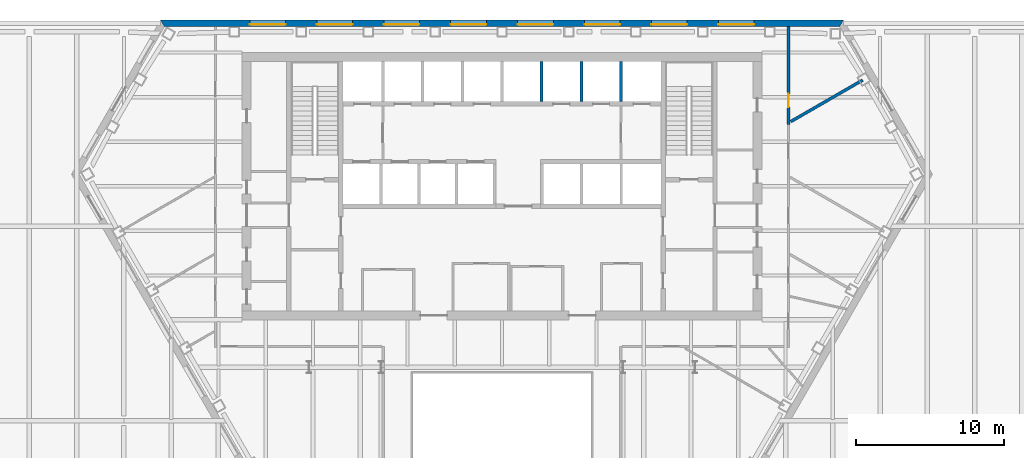
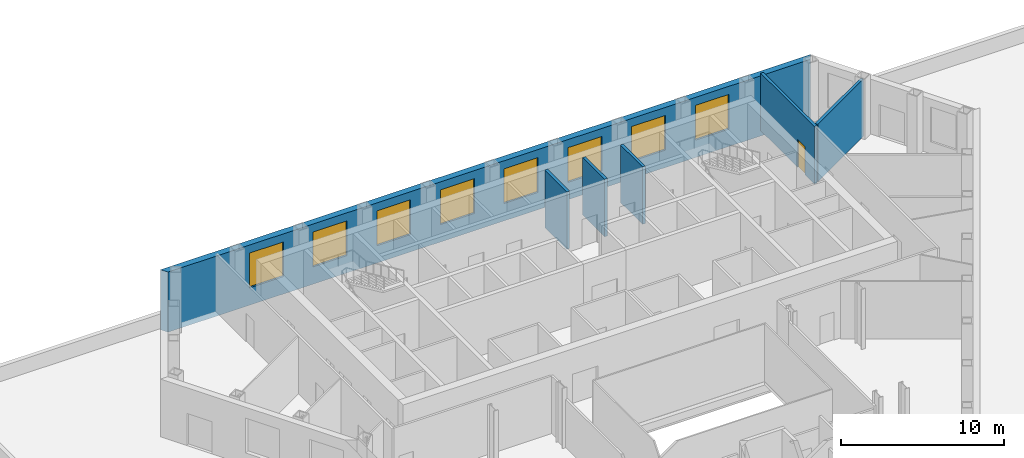
# One storey, part 10 of 14: 8 windows, 6 walls, 1 door, 9 openings.
"""IFC4 building model written with IfcOpenShell, lengths in metres."""

from ifc_helpers import new_model, si_unit, direction, frame, frame_2d, origin, place, context, subcontext, project, spatial, polyline, rectangle, outline, extrude, material, layer, layer_set, type_object, element, fill, save


model = new_model("IFC4")

# Units and contexts
model_context = context("Model", 3, precision=1e-05, world=origin(), true_north=direction((0.0, 1.0)))
body_context = subcontext(model_context, "Body", "Model", "MODEL_VIEW")
ifc_project = project(units=[si_unit("LENGTHUNIT", "METRE"), si_unit("AREAUNIT", "SQUARE_METRE"), si_unit("VOLUMEUNIT", "CUBIC_METRE"), si_unit("PLANEANGLEUNIT", "RADIAN"), si_unit("MASSUNIT", "GRAM", prefix="KILO")], contexts=[model_context])

# Site, building, storey
site_placement = place(None, origin())
site = spatial("IfcSite", under=ifc_project, at=site_placement, CompositionType="ELEMENT")
building_placement = place(site_placement, origin())
building = spatial("IfcBuilding", under=site, at=building_placement, Name="Njiva Tower", CompositionType="ELEMENT")
storey_placement = place(building_placement, frame((0.0, 0.0, 28.8)))
storey = spatial("IfcBuildingStorey", under=building, at=storey_placement, Name="L05", CompositionType="ELEMENT", Elevation=28.8)

# Wall, opening, door
ifc_material_1 = material(Name="Blockwork", Category="masonry")
ifc_layer_1 = layer(ifc_material_1, 0.2)
ifc_layer_set_1 = layer_set([ifc_layer_1], Name="Blockwork")
wall_type_1 = type_object("IfcWallType", Name="WT22 Plant room wall 200", PredefinedType="PARTITIONING", material=ifc_layer_set_1)
wall_1_placement = place(storey_placement, frame((19.3, 19.749, 0.0), z_axis=(0.0, 0.0, 1.0), x_axis=(0.000151952589, -0.999999988455, 0.0)))
wall_1 = element("IfcWall", 1, at=wall_1_placement, inside=storey, type_object=wall_type_1, Name="Partition S01-P015", PredefinedType="PARTITIONING", context=body_context, shape_type="SweptSolid", body=[
    extrude(rectangle(XDim=6.581, YDim=0.2, at=frame_2d((3.2905, 0.0))), origin(), (0.0, 0.0, 1.0), 4.3),
])
opening_1_placement = place(wall_1_placement, frame((4.526, 0.0, 0.0)))
opening_1 = element("IfcOpeningElement", 2, at=opening_1_placement, cuts=wall_1, Name="Opening S01-D014", PredefinedType="OPENING", context=body_context, shape_type="SweptSolid", body=[
    extrude(rectangle(XDim=0.9, YDim=2.1, at=frame_2d((0.45, 1.05))), frame((0.0, 0.11, 0.0), z_axis=(0.0, -1.0, 0.0), x_axis=(1.0, 0.0, 0.0)), (0.0, 0.0, 1.0), 0.22),
])
ifc_material_2 = material(Name="Steel fire door set", Category="steel")
door_type = type_object("IfcDoorType", Name="D36 Fire door 900x2100", OperationType="SINGLE_SWING_LEFT", PredefinedType="DOOR", material=ifc_material_2)
door_placement = place(opening_1_placement, origin())
door = element("IfcDoor", 3, at=door_placement, inside=storey, type_object=door_type, Name="Door S01-D014", OperationType="SINGLE_SWING_LEFT", OverallHeight=2.1, OverallWidth=0.9, PredefinedType="DOOR", context=body_context, shape_type="SweptSolid", body=[
    extrude(rectangle(XDim=0.9, YDim=2.1, at=frame_2d((0.45, 1.05))), frame((0.0, 0.025, 0.0), z_axis=(0.0, -1.0, 0.0), x_axis=(1.0, 0.0, 0.0)), (0.0, 0.0, 1.0), 0.05),
])
fill(opening_1, door)

# Walls
wall_2_placement = place(storey_placement, frame((19.451, 13.355, 0.0), z_axis=(0.0, 0.0, 1.0), x_axis=(0.866135007536, 0.499810112663, 0.0)))
element("IfcWall", 4, at=wall_2_placement, inside=storey, type_object=wall_type_1, Name="Partition S01-P019", PredefinedType="PARTITIONING", context=body_context, shape_type="SweptSolid", body=[
    extrude(rectangle(XDim=5.5961, YDim=0.2, at=frame_2d((2.798, 0.0))), origin(), (0.0, 0.0, 1.0), 4.3),
])
ifc_material_3 = material(Name="Concrete C40/50", Category="concrete")
ifc_layer_2 = layer(ifc_material_3, 0.2)
ifc_layer_set_2 = layer_set([ifc_layer_2], Name="Concrete C40/50")
wall_type_2 = type_object("IfcWallType", Name="WT6 Lift shaft wall 200", PredefinedType="SHEAR", material=ifc_layer_set_2)
for number, where, z_axis, x_axis, name in (
    (5, (2.675, 14.7, 0.0), (0.0, 0.0, 1.0), (0.0, 1.0, 0.0), "Shaft wall CN5"),
    (6, (5.35, 14.7, 0.0), (0.0, 0.0, 1.0), (0.0, 1.0, 0.0), "Shaft wall CN6"),
    (7, (8.025, 14.7, 0.0), (0.0, 0.0, 1.0), (0.0, 1.0, 0.0), "Shaft wall CN7"),
):
    element("IfcWall", number, at=place(storey_placement, frame(where, z_axis=z_axis, x_axis=x_axis)), inside=storey, type_object=wall_type_2, Name=name, PredefinedType="SHEAR", context=body_context, shape_type="SweptSolid", body=[
        extrude(rectangle(XDim=2.7, YDim=0.2, at=frame_2d((1.35, 0.0))), origin(), (0.0, 0.0, 1.0), 4.3),
    ])

# Wall, openings, windows
ifc_material_4 = material(Name="Brick masonry", Category="masonry")
ifc_layer_3 = layer(ifc_material_4, 0.45)
ifc_layer_set_3 = layer_set([ifc_layer_3], Name="Brick masonry")
wall_type_3 = type_object("IfcWallType", Name="WT90 Brick pier and spandrel wall 450", PredefinedType="SOLIDWALL", material=ifc_layer_set_3)
wall_3_placement = place(storey_placement, frame((22.8701, 19.975, -0.4), z_axis=(0.0, 0.0, 1.0), x_axis=(-1.0, 0.0, 0.0)))
wall_3 = element("IfcWall", 8, at=wall_3_placement, inside=storey, type_object=wall_type_3, Name="Facade wall N", PredefinedType="SOLIDWALL", context=body_context, shape_type="SweptSolid", body=[
    extrude(outline(polyline([(-0.1299, -0.225), (45.8701, -0.225), (45.6103, 0.225), (0.1299, 0.225), (-0.1299, -0.225)])), origin(), (0.0, 0.0, 1.0), 4.5),
])
opening_2_placement = place(wall_3_placement, frame((5.8934, 0.0, 1.3)))
opening_2 = element("IfcOpeningElement", 9, at=opening_2_placement, cuts=wall_3, Name="Opening S01-W01", PredefinedType="OPENING", context=body_context, shape_type="SweptSolid", body=[
    extrude(rectangle(XDim=2.4, YDim=2.6, at=frame_2d((1.2, 1.3))), frame((0.0, 0.235, 0.0), z_axis=(0.0, -1.0, 0.0), x_axis=(1.0, 0.0, 0.0)), (0.0, 0.0, 1.0), 0.47),
])
opening_3_placement = place(wall_3_placement, frame((10.401, 0.0, 1.3)))
opening_3 = element("IfcOpeningElement", 10, at=opening_3_placement, cuts=wall_3, Name="Opening S01-W02", PredefinedType="OPENING", context=body_context, shape_type="SweptSolid", body=[
    extrude(rectangle(XDim=2.4, YDim=2.6, at=frame_2d((1.2, 1.3))), frame((0.0, 0.235, 0.0), z_axis=(0.0, -1.0, 0.0), x_axis=(1.0, 0.0, 0.0)), (0.0, 0.0, 1.0), 0.47),
])
opening_4_placement = place(wall_3_placement, frame((14.9087, 0.0, 1.3)))
opening_4 = element("IfcOpeningElement", 11, at=opening_4_placement, cuts=wall_3, Name="Opening S01-W03", PredefinedType="OPENING", context=body_context, shape_type="SweptSolid", body=[
    extrude(rectangle(XDim=2.4, YDim=2.6, at=frame_2d((1.2, 1.3))), frame((0.0, 0.235, 0.0), z_axis=(0.0, -1.0, 0.0), x_axis=(1.0, 0.0, 0.0)), (0.0, 0.0, 1.0), 0.47),
])
opening_5_placement = place(wall_3_placement, frame((19.4163, 0.0, 1.3)))
opening_5 = element("IfcOpeningElement", 12, at=opening_5_placement, cuts=wall_3, Name="Opening S01-W04", PredefinedType="OPENING", context=body_context, shape_type="SweptSolid", body=[
    extrude(rectangle(XDim=2.4, YDim=2.6, at=frame_2d((1.2, 1.3))), frame((0.0, 0.235, 0.0), z_axis=(0.0, -1.0, 0.0), x_axis=(1.0, 0.0, 0.0)), (0.0, 0.0, 1.0), 0.47),
])
opening_6_placement = place(wall_3_placement, frame((23.9239, 0.0, 1.3)))
opening_6 = element("IfcOpeningElement", 13, at=opening_6_placement, cuts=wall_3, Name="Opening S01-W05", PredefinedType="OPENING", context=body_context, shape_type="SweptSolid", body=[
    extrude(rectangle(XDim=2.4, YDim=2.6, at=frame_2d((1.2, 1.3))), frame((0.0, 0.235, 0.0), z_axis=(0.0, -1.0, 0.0), x_axis=(1.0, 0.0, 0.0)), (0.0, 0.0, 1.0), 0.47),
])
opening_7_placement = place(wall_3_placement, frame((28.4315, 0.0, 1.3)))
opening_7 = element("IfcOpeningElement", 14, at=opening_7_placement, cuts=wall_3, Name="Opening S01-W06", PredefinedType="OPENING", context=body_context, shape_type="SweptSolid", body=[
    extrude(rectangle(XDim=2.4, YDim=2.6, at=frame_2d((1.2, 1.3))), frame((0.0, 0.235, 0.0), z_axis=(0.0, -1.0, 0.0), x_axis=(1.0, 0.0, 0.0)), (0.0, 0.0, 1.0), 0.47),
])
opening_8_placement = place(wall_3_placement, frame((32.9391, 0.0, 1.3)))
opening_8 = element("IfcOpeningElement", 15, at=opening_8_placement, cuts=wall_3, Name="Opening S01-W07", PredefinedType="OPENING", context=body_context, shape_type="SweptSolid", body=[
    extrude(rectangle(XDim=2.4, YDim=2.6, at=frame_2d((1.2, 1.3))), frame((0.0, 0.235, 0.0), z_axis=(0.0, -1.0, 0.0), x_axis=(1.0, 0.0, 0.0)), (0.0, 0.0, 1.0), 0.47),
])
opening_9_placement = place(wall_3_placement, frame((37.4468, 0.0, 1.3)))
opening_9 = element("IfcOpeningElement", 16, at=opening_9_placement, cuts=wall_3, Name="Opening S01-W08", PredefinedType="OPENING", context=body_context, shape_type="SweptSolid", body=[
    extrude(rectangle(XDim=2.4, YDim=2.6, at=frame_2d((1.2, 1.3))), frame((0.0, 0.235, 0.0), z_axis=(0.0, -1.0, 0.0), x_axis=(1.0, 0.0, 0.0)), (0.0, 0.0, 1.0), 0.47),
])
ifc_material_5 = material(Name="Clear glazing in aluminium frame", Category="aluminium")
window_type = type_object("IfcWindowType", Name="W92 Deep-set window 2400x2600", PartitioningType="SINGLE_PANEL", PredefinedType="WINDOW", material=ifc_material_5)
window_1_placement = place(opening_2_placement, origin())
window_1 = element("IfcWindow", 17, at=window_1_placement, inside=storey, type_object=window_type, Name="Window", OverallHeight=2.6, OverallWidth=2.4, PartitioningType="SINGLE_PANEL", PredefinedType="WINDOW", context=body_context, shape_type="SweptSolid", body=[
    extrude(rectangle(XDim=2.4, YDim=2.6, at=frame_2d((1.2, 1.3))), frame((0.0, 0.105, 0.0), z_axis=(0.0, -1.0, 0.0), x_axis=(1.0, 0.0, 0.0)), (0.0, 0.0, 1.0), 0.06),
])
fill(opening_2, window_1)
window_2_placement = place(opening_3_placement, origin())
window_2 = element("IfcWindow", 18, at=window_2_placement, inside=storey, type_object=window_type, Name="Window", OverallHeight=2.6, OverallWidth=2.4, PartitioningType="SINGLE_PANEL", PredefinedType="WINDOW", context=body_context, shape_type="SweptSolid", body=[
    extrude(rectangle(XDim=2.4, YDim=2.6, at=frame_2d((1.2, 1.3))), frame((0.0, 0.105, 0.0), z_axis=(0.0, -1.0, 0.0), x_axis=(1.0, 0.0, 0.0)), (0.0, 0.0, 1.0), 0.06),
])
fill(opening_3, window_2)
window_3_placement = place(opening_4_placement, origin())
window_3 = element("IfcWindow", 19, at=window_3_placement, inside=storey, type_object=window_type, Name="Window", OverallHeight=2.6, OverallWidth=2.4, PartitioningType="SINGLE_PANEL", PredefinedType="WINDOW", context=body_context, shape_type="SweptSolid", body=[
    extrude(rectangle(XDim=2.4, YDim=2.6, at=frame_2d((1.2, 1.3))), frame((0.0, 0.105, 0.0), z_axis=(0.0, -1.0, 0.0), x_axis=(1.0, 0.0, 0.0)), (0.0, 0.0, 1.0), 0.06),
])
fill(opening_4, window_3)
window_4_placement = place(opening_5_placement, origin())
window_4 = element("IfcWindow", 20, at=window_4_placement, inside=storey, type_object=window_type, Name="Window", OverallHeight=2.6, OverallWidth=2.4, PartitioningType="SINGLE_PANEL", PredefinedType="WINDOW", context=body_context, shape_type="SweptSolid", body=[
    extrude(rectangle(XDim=2.4, YDim=2.6, at=frame_2d((1.2, 1.3))), frame((0.0, 0.105, 0.0), z_axis=(0.0, -1.0, 0.0), x_axis=(1.0, 0.0, 0.0)), (0.0, 0.0, 1.0), 0.06),
])
fill(opening_5, window_4)
window_5_placement = place(opening_6_placement, origin())
window_5 = element("IfcWindow", 21, at=window_5_placement, inside=storey, type_object=window_type, Name="Window", OverallHeight=2.6, OverallWidth=2.4, PartitioningType="SINGLE_PANEL", PredefinedType="WINDOW", context=body_context, shape_type="SweptSolid", body=[
    extrude(rectangle(XDim=2.4, YDim=2.6, at=frame_2d((1.2, 1.3))), frame((0.0, 0.105, 0.0), z_axis=(0.0, -1.0, 0.0), x_axis=(1.0, 0.0, 0.0)), (0.0, 0.0, 1.0), 0.06),
])
fill(opening_6, window_5)
window_6_placement = place(opening_7_placement, origin())
window_6 = element("IfcWindow", 22, at=window_6_placement, inside=storey, type_object=window_type, Name="Window", OverallHeight=2.6, OverallWidth=2.4, PartitioningType="SINGLE_PANEL", PredefinedType="WINDOW", context=body_context, shape_type="SweptSolid", body=[
    extrude(rectangle(XDim=2.4, YDim=2.6, at=frame_2d((1.2, 1.3))), frame((0.0, 0.105, 0.0), z_axis=(0.0, -1.0, 0.0), x_axis=(1.0, 0.0, 0.0)), (0.0, 0.0, 1.0), 0.06),
])
fill(opening_7, window_6)
window_7_placement = place(opening_8_placement, origin())
window_7 = element("IfcWindow", 23, at=window_7_placement, inside=storey, type_object=window_type, Name="Window", OverallHeight=2.6, OverallWidth=2.4, PartitioningType="SINGLE_PANEL", PredefinedType="WINDOW", context=body_context, shape_type="SweptSolid", body=[
    extrude(rectangle(XDim=2.4, YDim=2.6, at=frame_2d((1.2, 1.3))), frame((0.0, 0.105, 0.0), z_axis=(0.0, -1.0, 0.0), x_axis=(1.0, 0.0, 0.0)), (0.0, 0.0, 1.0), 0.06),
])
fill(opening_8, window_7)
window_8_placement = place(opening_9_placement, origin())
window_8 = element("IfcWindow", 24, at=window_8_placement, inside=storey, type_object=window_type, Name="Window", OverallHeight=2.6, OverallWidth=2.4, PartitioningType="SINGLE_PANEL", PredefinedType="WINDOW", context=body_context, shape_type="SweptSolid", body=[
    extrude(rectangle(XDim=2.4, YDim=2.6, at=frame_2d((1.2, 1.3))), frame((0.0, 0.105, 0.0), z_axis=(0.0, -1.0, 0.0), x_axis=(1.0, 0.0, 0.0)), (0.0, 0.0, 1.0), 0.06),
])
fill(opening_9, window_8)

save(model, "model.ifc")
